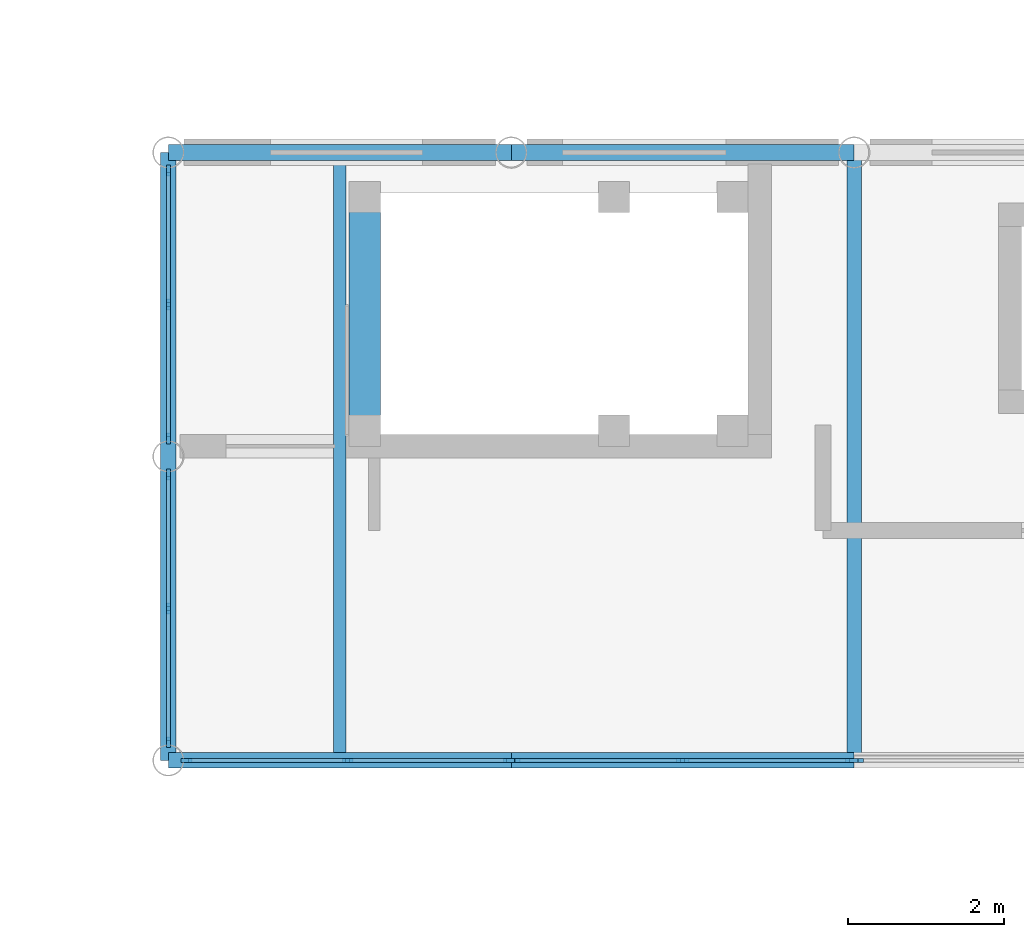
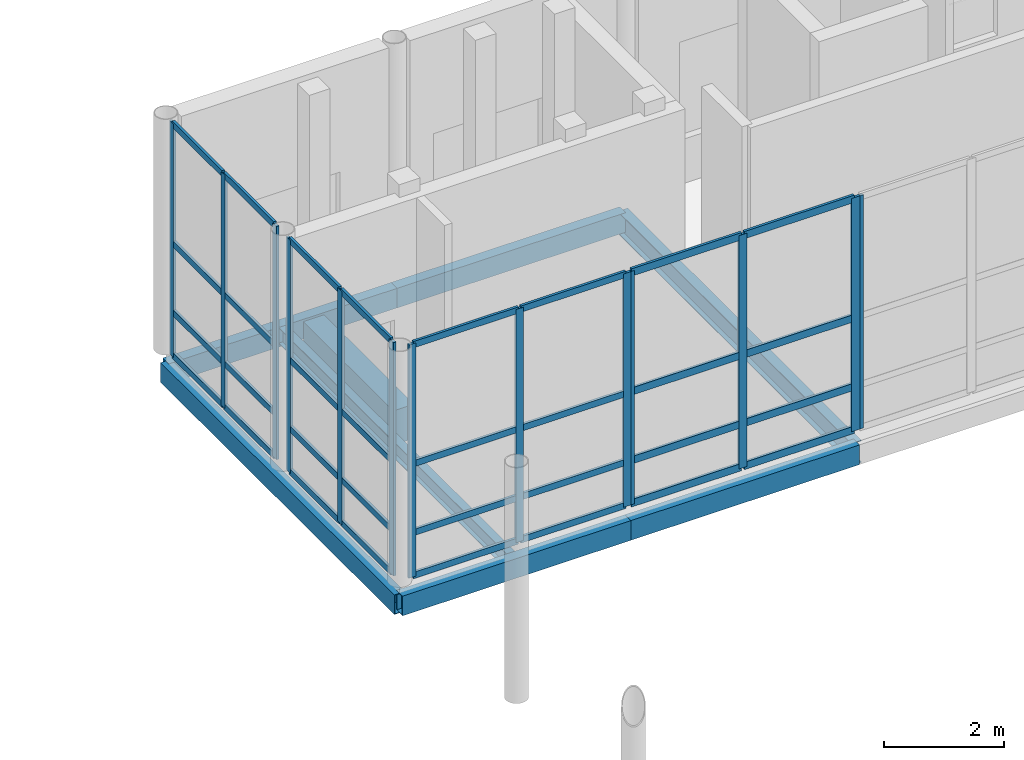
# One storey, part 44 of 138: 45 members, 8 beams, 5 elements without a shape of their own.
"""IFC4 building model written with IfcOpenShell, lengths in metres."""

from ifc_helpers import new_model, si_unit, direction, frame, origin, origin_2d, place, context, subcontext, project, spatial, rectangle, hollow_rectangle, i_section, extrude, material, layer, layer_set, material_profile, profile_set, type_object, element, aggregate, save


model = new_model("IFC4")

# Units and contexts
model_context = context("Model", 3, precision=1e-05, world=origin(), true_north=direction((0.0, 1.0)))
body_context = subcontext(model_context, "Body", "Model", "MODEL_VIEW")
ifc_project = project(units=[si_unit("LENGTHUNIT", "METRE"), si_unit("AREAUNIT", "SQUARE_METRE"), si_unit("VOLUMEUNIT", "CUBIC_METRE"), si_unit("PLANEANGLEUNIT", "RADIAN"), si_unit("MASSUNIT", "GRAM", prefix="KILO")], contexts=[model_context])

# Site, building, storey
site_placement = place(None, origin())
site = spatial("IfcSite", under=ifc_project, at=site_placement, CompositionType="ELEMENT")
building_placement = place(site_placement, origin())
building = spatial("IfcBuilding", under=site, at=building_placement, Name="Celorna Specialist Clinic", CompositionType="ELEMENT")
storey_placement = place(building_placement, frame((0.0, 0.0, 4.800048828125)))
storey = spatial("IfcBuildingStorey", under=building, at=storey_placement, Name="L01", CompositionType="ELEMENT", Elevation=4.800048828125)

# Beams
ifc_material_1 = material(Name="Steel S355", Category="steel")
ifc_material_profile_1 = material_profile(ifc_material_1, i_section(OverallWidth=0.18994140625, OverallDepth=0.449951171875, WebThickness=0.009521484375, FlangeThickness=0.0146484375, at=origin_2d()), Name="IPE 450")
ifc_profile_set_1 = profile_set([ifc_material_profile_1], Name="Steel S355")
beam_type_1 = type_object("IfcBeamType", Name="BM-09", PredefinedType="BEAM", material=ifc_profile_set_1)
beam_1_placement = place(storey_placement, frame((63.39990234375, 70.199951171875, -0.485107421875), z_axis=(0.0, 1.0, 0.0), x_axis=(-1.0, 0.0, 0.0)))
element("IfcBeam", 1, at=beam_1_placement, inside=storey, type_object=beam_type_1, Name="Transverse girder BM-09 #213", PredefinedType="BEAM", context=body_context, shape_type="SweptSolid", body=[
    extrude(i_section(OverallWidth=0.18994140625, OverallDepth=0.449951171875, WebThickness=0.009521484375, FlangeThickness=0.0146484375, at=origin_2d()), origin(), (0.0, 0.0, 1.0), 7.800048828125),
])
ifc_material_profile_2 = material_profile(ifc_material_1, i_section(OverallWidth=0.159912109375, OverallDepth=0.330078125, WebThickness=0.007568359375, FlangeThickness=0.011474609375, at=origin_2d()), Name="IPE 330")
ifc_profile_set_2 = profile_set([ifc_material_profile_2], Name="Steel S355")
beam_type_2 = type_object("IfcBeamType", Name="BM-12", PredefinedType="JOIST", material=ifc_profile_set_2)
beam_2_placement = place(storey_placement, frame((56.800048828125, 70.2880859375, -0.425048828125), z_axis=(0.0, 1.0, 0.0), x_axis=(-1.0, 0.0, 0.0)))
element("IfcBeam", 2, at=beam_2_placement, inside=storey, type_object=beam_type_2, Name="Secondary floor joist BM-12 #222", PredefinedType="JOIST", context=body_context, shape_type="SweptSolid", body=[
    extrude(i_section(OverallWidth=0.159912109375, OverallDepth=0.330078125, WebThickness=0.007568359375, FlangeThickness=0.011474609375, at=origin_2d()), origin(), (0.0, 0.0, 1.0), 7.6240234375),
])
ifc_material_profile_3 = material_profile(ifc_material_1, hollow_rectangle(XDim=0.199951171875, YDim=0.39990234375, WallThickness=0.011962890625, at=origin_2d()), Name="RHS 200x400x12")
ifc_profile_set_3 = profile_set([ifc_material_profile_3], Name="Steel S355")
beam_type_3 = type_object("IfcBeamType", Name="BM-15", PredefinedType="SPANDREL", material=ifc_profile_set_3)
for number, where, z_axis, x_axis, name in (
    (3, (54.60009765625, 70.199951171875, -0.4599609375), (1.0, 0.0, 0.0), (0.0, 1.0, 0.0), "Spandrel beam BM-15 #190"),
    (4, (59.0, 70.199951171875, -0.4599609375), (1.0, 0.0, 0.0), (0.0, 1.0, 0.0), "Spandrel beam BM-15 #191"),
    (5, (54.60009765625, 78.0, -0.4599609375), (1.0, 0.0, 0.0), (0.0, 1.0, 0.0), "Spandrel beam BM-15 #201"),
    (6, (59.0, 78.0, -0.4599609375), (1.0, 0.0, 0.0), (0.0, 1.0, 0.0), "Spandrel beam BM-15 #202"),
):
    element("IfcBeam", number, at=place(storey_placement, frame(where, z_axis=z_axis, x_axis=x_axis)), inside=storey, type_object=beam_type_3, Name=name, PredefinedType="SPANDREL", context=body_context, shape_type="SweptSolid", body=[
        extrude(hollow_rectangle(XDim=0.199951171875, YDim=0.39990234375, WallThickness=0.011962890625, at=origin_2d()), origin(), (0.0, 0.0, 1.0), 4.39990234375),
    ])
beam_3_placement = place(storey_placement, frame((54.60009765625, 70.199951171875, -0.4599609375), z_axis=(0.0, 1.0, 0.0), x_axis=(-1.0, 0.0, 0.0)))
element("IfcBeam", 7, at=beam_3_placement, inside=storey, type_object=beam_type_3, Name="Spandrel beam BM-15 #212", PredefinedType="SPANDREL", context=body_context, shape_type="SweptSolid", body=[
    extrude(hollow_rectangle(XDim=0.199951171875, YDim=0.39990234375, WallThickness=0.011962890625, at=origin_2d()), origin(), (0.0, 0.0, 1.0), 7.800048828125),
])
ifc_material_2 = material(Name="Concrete C35/45", Category="concrete")
ifc_material_profile_4 = material_profile(ifc_material_2, rectangle(XDim=0.39990234375, YDim=0.699951171875, at=origin_2d()), Name="RC 400x700")
ifc_profile_set_4 = profile_set([ifc_material_profile_4], Name="Concrete C35/45")
beam_type_4 = type_object("IfcBeamType", Name="BM-19", PredefinedType="BEAM", material=ifc_profile_set_4)
beam_4_placement = place(storey_placement, frame((57.1201171875, 74.429931640625, -0.275146484375), z_axis=(0.0, 1.0, 0.0), x_axis=(-1.0, 0.0, 0.0)))
element("IfcBeam", 8, at=beam_4_placement, inside=storey, type_object=beam_type_4, Name="Stair ST-10 floor landing trimmer beam L01", PredefinedType="BEAM", context=body_context, shape_type="SweptSolid", body=[
    extrude(rectangle(XDim=0.39990234375, YDim=0.699951171875, at=origin_2d()), origin(), (0.0, 0.0, 1.0), 3.0),
])

# Curtain wall, members
ifc_material_3 = material(Name="Thermally broken aluminium and solar-control glass curtain wall", Category="aluminium")
ifc_layer_1 = layer(ifc_material_3, 0.159912109375, Name="Thermally broken aluminium and solar-control glass curtain wall")
ifc_layer_set_1 = layer_set([ifc_layer_1], Name="Thermally broken aluminium and solar-control glass curtain wall")
curtain_wall_type_1 = type_object("IfcCurtainWallType", Name="CW-09", PredefinedType="NOTDEFINED", material=ifc_layer_set_1)
curtain_wall_1_placement = place(storey_placement, origin())
curtain_wall_1 = element("IfcCurtainWall", 9, at=curtain_wall_1_placement, inside=storey, type_object=curtain_wall_type_1, Name="Curtain wall CW-09 #27", PredefinedType="NOTDEFINED")
ifc_material_4 = material(Name="Anodized aluminium mullion", Category="aluminium")
ifc_material_profile_5 = material_profile(ifc_material_4, rectangle(XDim=0.050048828125, YDim=0.159912109375, at=origin_2d()), Name="ALU MULLION 50x160")
ifc_profile_set_5 = profile_set([ifc_material_profile_5], Name="Anodized aluminium mullion")
member_type_1 = type_object("IfcMemberType", Name="ML-01", PredefinedType="MULLION", material=ifc_profile_set_5)
member_1_placement = place(storey_placement, frame((63.37109375, 70.199951171875, 0.0), z_axis=(0.0, 0.0, 1.0), x_axis=(0.0, -1.0, 0.0)))
member_1 = element("IfcMember", 10, at=member_1_placement, type_object=member_type_1, Name="CW-09 mullion 1", PredefinedType="MULLION", context=body_context, shape_type="SweptSolid", body=[
    extrude(rectangle(XDim=0.050048828125, YDim=0.159912109375, at=origin_2d()), origin(), (0.0, 0.0, 1.0), 4.75),
])
member_2_placement = place(storey_placement, frame((61.199951171875, 70.199951171875, 0.0), z_axis=(0.0, 0.0, 1.0), x_axis=(0.0, -1.0, 0.0)))
member_2 = element("IfcMember", 11, at=member_2_placement, type_object=member_type_1, Name="CW-09 mullion 2", PredefinedType="MULLION", context=body_context, shape_type="SweptSolid", body=[
    extrude(rectangle(XDim=0.050048828125, YDim=0.159912109375, at=origin_2d()), origin(), (0.0, 0.0, 1.0), 4.75),
])
member_3_placement = place(storey_placement, frame((59.029052734375, 70.199951171875, 0.0), z_axis=(0.0, 0.0, 1.0), x_axis=(0.0, -1.0, 0.0)))
member_3 = element("IfcMember", 12, at=member_3_placement, type_object=member_type_1, Name="CW-09 mullion 3", PredefinedType="MULLION", context=body_context, shape_type="SweptSolid", body=[
    extrude(rectangle(XDim=0.050048828125, YDim=0.159912109375, at=origin_2d()), origin(), (0.0, 0.0, 1.0), 4.75),
])

# Curtain wall, member
ifc_layer_2 = layer(ifc_material_3, 0.159912109375, Name="Thermally broken aluminium and solar-control glass curtain wall")
ifc_layer_set_2 = layer_set([ifc_layer_2], Name="Thermally broken aluminium and solar-control glass curtain wall")
curtain_wall_type_2 = type_object("IfcCurtainWallType", Name="CW-10", PredefinedType="NOTDEFINED", material=ifc_layer_set_2)
curtain_wall_2_placement = place(storey_placement, origin())
curtain_wall_2 = element("IfcCurtainWall", 13, at=curtain_wall_2_placement, inside=storey, type_object=curtain_wall_type_2, Name="Curtain wall CW-10 #28", PredefinedType="NOTDEFINED")
ifc_material_profile_6 = material_profile(ifc_material_4, rectangle(XDim=0.050048828125, YDim=0.179931640625, at=origin_2d()), Name="ALU MULLION 50x180")
ifc_profile_set_6 = profile_set([ifc_material_profile_6], Name="Anodized aluminium mullion")
member_type_2 = type_object("IfcMemberType", Name="ML-02", PredefinedType="MULLION", material=ifc_profile_set_6)
member_4_placement = place(storey_placement, frame((63.428955078125, 70.199951171875, 0.0), z_axis=(0.0, 0.0, 1.0), x_axis=(0.0, -1.0, 0.0)))
member_4 = element("IfcMember", 14, at=member_4_placement, type_object=member_type_2, Name="CW-10 mullion 3", PredefinedType="MULLION", context=body_context, shape_type="SweptSolid", body=[
    extrude(rectangle(XDim=0.050048828125, YDim=0.179931640625, at=origin_2d()), origin(), (0.0, 0.0, 1.0), 4.75),
])
aggregate(curtain_wall_2, [member_4])

# Curtain wall, members
ifc_layer_3 = layer(ifc_material_3, 0.159912109375, Name="Thermally broken aluminium and solar-control glass curtain wall")
ifc_layer_set_3 = layer_set([ifc_layer_3], Name="Thermally broken aluminium and solar-control glass curtain wall")
curtain_wall_type_3 = type_object("IfcCurtainWallType", Name="CW-08", PredefinedType="NOTDEFINED", material=ifc_layer_set_3)
curtain_wall_3_placement = place(storey_placement, origin())
curtain_wall_3 = element("IfcCurtainWall", 15, at=curtain_wall_3_placement, inside=storey, type_object=curtain_wall_type_3, Name="Curtain wall CW-08 #26", PredefinedType="NOTDEFINED")
ifc_material_profile_7 = material_profile(ifc_material_4, rectangle(XDim=0.050048828125, YDim=0.139892578125, at=origin_2d()), Name="ALU MULLION 50x140")
ifc_profile_set_7 = profile_set([ifc_material_profile_7], Name="Anodized aluminium mullion")
member_type_3 = type_object("IfcMemberType", Name="ML-03", PredefinedType="MULLION", material=ifc_profile_set_7)
member_5_placement = place(storey_placement, frame((58.970947265625, 70.199951171875, 0.0), z_axis=(0.0, 0.0, 1.0), x_axis=(0.0, -1.0, 0.0)))
member_5 = element("IfcMember", 16, at=member_5_placement, type_object=member_type_3, Name="CW-08 mullion 1", PredefinedType="MULLION", context=body_context, shape_type="SweptSolid", body=[
    extrude(rectangle(XDim=0.050048828125, YDim=0.139892578125, at=origin_2d()), origin(), (0.0, 0.0, 1.0), 4.75),
])
member_6_placement = place(storey_placement, frame((56.901611328125, 70.199951171875, 0.0), z_axis=(0.0, 0.0, 1.0), x_axis=(0.0, -1.0, 0.0)))
member_6 = element("IfcMember", 17, at=member_6_placement, type_object=member_type_3, Name="CW-08 mullion 2", PredefinedType="MULLION", context=body_context, shape_type="SweptSolid", body=[
    extrude(rectangle(XDim=0.050048828125, YDim=0.139892578125, at=origin_2d()), origin(), (0.0, 0.0, 1.0), 4.75),
])
member_7_placement = place(storey_placement, frame((54.832275390625, 70.199951171875, 0.0), z_axis=(0.0, 0.0, 1.0), x_axis=(0.0, -1.0, 0.0)))
member_7 = element("IfcMember", 18, at=member_7_placement, type_object=member_type_3, Name="CW-08 mullion 3", PredefinedType="MULLION", context=body_context, shape_type="SweptSolid", body=[
    extrude(rectangle(XDim=0.050048828125, YDim=0.139892578125, at=origin_2d()), origin(), (0.0, 0.0, 1.0), 4.75),
])

ifc_layer_4 = layer(ifc_material_3, 0.159912109375, Name="Thermally broken aluminium and solar-control glass curtain wall")
ifc_layer_set_4 = layer_set([ifc_layer_4], Name="Thermally broken aluminium and solar-control glass curtain wall")
curtain_wall_type_4 = type_object("IfcCurtainWallType", Name="CW-13", PredefinedType="NOTDEFINED", material=ifc_layer_set_4)
curtain_wall_4_placement = place(storey_placement, origin())
curtain_wall_4 = element("IfcCurtainWall", 19, at=curtain_wall_4_placement, inside=storey, type_object=curtain_wall_type_4, Name="Curtain wall CW-13 #37", PredefinedType="NOTDEFINED")
member_8_placement = place(storey_placement, frame((54.60009765625, 70.43212890625, 0.0), z_axis=(0.0, 0.0, 1.0), x_axis=(-1.0, 0.0, 0.0)))
member_8 = element("IfcMember", 20, at=member_8_placement, type_object=member_type_3, Name="CW-13 mullion 1", PredefinedType="MULLION", context=body_context, shape_type="SweptSolid", body=[
    extrude(rectangle(XDim=0.050048828125, YDim=0.139892578125, at=origin_2d()), origin(), (0.0, 0.0, 1.0), 4.75),
])
member_9_placement = place(storey_placement, frame((54.60009765625, 72.14990234375, 0.0), z_axis=(0.0, 0.0, 1.0), x_axis=(-1.0, 0.0, 0.0)))
member_9 = element("IfcMember", 21, at=member_9_placement, type_object=member_type_3, Name="CW-13 mullion 2", PredefinedType="MULLION", context=body_context, shape_type="SweptSolid", body=[
    extrude(rectangle(XDim=0.050048828125, YDim=0.139892578125, at=origin_2d()), origin(), (0.0, 0.0, 1.0), 4.75),
])
member_10_placement = place(storey_placement, frame((54.60009765625, 73.867919921875, 0.0), z_axis=(0.0, 0.0, 1.0), x_axis=(-1.0, 0.0, 0.0)))
member_10 = element("IfcMember", 22, at=member_10_placement, type_object=member_type_3, Name="CW-13 mullion 3", PredefinedType="MULLION", context=body_context, shape_type="SweptSolid", body=[
    extrude(rectangle(XDim=0.050048828125, YDim=0.139892578125, at=origin_2d()), origin(), (0.0, 0.0, 1.0), 4.75),
])

curtain_wall_5_placement = place(storey_placement, origin())
curtain_wall_5 = element("IfcCurtainWall", 23, at=curtain_wall_5_placement, inside=storey, type_object=curtain_wall_type_4, Name="Curtain wall CW-13 #38", PredefinedType="NOTDEFINED")
member_11_placement = place(storey_placement, frame((54.60009765625, 74.332275390625, 0.0), z_axis=(0.0, 0.0, 1.0), x_axis=(-1.0, 0.0, 0.0)))
member_11 = element("IfcMember", 24, at=member_11_placement, type_object=member_type_3, Name="CW-13 mullion 1", PredefinedType="MULLION", context=body_context, shape_type="SweptSolid", body=[
    extrude(rectangle(XDim=0.050048828125, YDim=0.139892578125, at=origin_2d()), origin(), (0.0, 0.0, 1.0), 4.75),
])
member_12_placement = place(storey_placement, frame((54.60009765625, 76.050048828125, 0.0), z_axis=(0.0, 0.0, 1.0), x_axis=(-1.0, 0.0, 0.0)))
member_12 = element("IfcMember", 25, at=member_12_placement, type_object=member_type_3, Name="CW-13 mullion 2", PredefinedType="MULLION", context=body_context, shape_type="SweptSolid", body=[
    extrude(rectangle(XDim=0.050048828125, YDim=0.139892578125, at=origin_2d()), origin(), (0.0, 0.0, 1.0), 4.75),
])
member_13_placement = place(storey_placement, frame((54.60009765625, 77.767822265625, 0.0), z_axis=(0.0, 0.0, 1.0), x_axis=(-1.0, 0.0, 0.0)))
member_13 = element("IfcMember", 26, at=member_13_placement, type_object=member_type_3, Name="CW-13 mullion 3", PredefinedType="MULLION", context=body_context, shape_type="SweptSolid", body=[
    extrude(rectangle(XDim=0.050048828125, YDim=0.139892578125, at=origin_2d()), origin(), (0.0, 0.0, 1.0), 4.75),
])

# Member
ifc_material_5 = material(Name="Anodized aluminium transom", Category="aluminium")
ifc_material_profile_8 = material_profile(ifc_material_5, rectangle(XDim=0.050048828125, YDim=0.1298828125, at=origin_2d()), Name="ALU TRANSOM 50x130")
ifc_profile_set_8 = profile_set([ifc_material_profile_8], Name="Anodized aluminium transom")
member_type_4 = type_object("IfcMemberType", Name="TR-01", PredefinedType="USERDEFINED", material=ifc_profile_set_8)
member_14_placement = place(storey_placement, frame((58.946044921875, 70.199951171875, 0.02490234375), z_axis=(-1.0, 0.0, 0.0), x_axis=(0.0, -1.0, 0.0)))
member_14 = element("IfcMember", 27, at=member_14_placement, type_object=member_type_4, Name="CW-08 transom 1.1", ObjectType="TRANSOM", PredefinedType="USERDEFINED", context=body_context, shape_type="SweptSolid", body=[
    extrude(rectangle(XDim=0.050048828125, YDim=0.1298828125, at=origin_2d()), origin(), (0.0, 0.0, 1.0), 2.01953125),
])

member_15_placement = place(storey_placement, frame((58.946044921875, 70.199951171875, 0.89990234375), z_axis=(-1.0, 0.0, 0.0), x_axis=(0.0, -1.0, 0.0)))
member_15 = element("IfcMember", 28, at=member_15_placement, type_object=member_type_4, Name="CW-08 transom 1.2", ObjectType="TRANSOM", PredefinedType="USERDEFINED", context=body_context, shape_type="SweptSolid", body=[
    extrude(rectangle(XDim=0.050048828125, YDim=0.1298828125, at=origin_2d()), origin(), (0.0, 0.0, 1.0), 2.01953125),
])

member_16_placement = place(storey_placement, frame((58.946044921875, 70.199951171875, 2.300048828125), z_axis=(-1.0, 0.0, 0.0), x_axis=(0.0, -1.0, 0.0)))
member_16 = element("IfcMember", 29, at=member_16_placement, type_object=member_type_4, Name="CW-08 transom 1.3", ObjectType="TRANSOM", PredefinedType="USERDEFINED", context=body_context, shape_type="SweptSolid", body=[
    extrude(rectangle(XDim=0.050048828125, YDim=0.1298828125, at=origin_2d()), origin(), (0.0, 0.0, 1.0), 2.01953125),
])

member_17_placement = place(storey_placement, frame((58.946044921875, 70.199951171875, 4.724853515625), z_axis=(-1.0, 0.0, 0.0), x_axis=(0.0, -1.0, 0.0)))
member_17 = element("IfcMember", 30, at=member_17_placement, type_object=member_type_4, Name="CW-08 transom 1.4", ObjectType="TRANSOM", PredefinedType="USERDEFINED", context=body_context, shape_type="SweptSolid", body=[
    extrude(rectangle(XDim=0.050048828125, YDim=0.1298828125, at=origin_2d()), origin(), (0.0, 0.0, 1.0), 2.01953125),
])

member_18_placement = place(storey_placement, frame((56.876708984375, 70.199951171875, 0.02490234375), z_axis=(-1.0, 0.0, 0.0), x_axis=(0.0, -1.0, 0.0)))
member_18 = element("IfcMember", 31, at=member_18_placement, type_object=member_type_4, Name="CW-08 transom 2.1", ObjectType="TRANSOM", PredefinedType="USERDEFINED", context=body_context, shape_type="SweptSolid", body=[
    extrude(rectangle(XDim=0.050048828125, YDim=0.1298828125, at=origin_2d()), origin(), (0.0, 0.0, 1.0), 2.01953125),
])

member_19_placement = place(storey_placement, frame((56.876708984375, 70.199951171875, 0.89990234375), z_axis=(-1.0, 0.0, 0.0), x_axis=(0.0, -1.0, 0.0)))
member_19 = element("IfcMember", 32, at=member_19_placement, type_object=member_type_4, Name="CW-08 transom 2.2", ObjectType="TRANSOM", PredefinedType="USERDEFINED", context=body_context, shape_type="SweptSolid", body=[
    extrude(rectangle(XDim=0.050048828125, YDim=0.1298828125, at=origin_2d()), origin(), (0.0, 0.0, 1.0), 2.01953125),
])

member_20_placement = place(storey_placement, frame((56.876708984375, 70.199951171875, 2.300048828125), z_axis=(-1.0, 0.0, 0.0), x_axis=(0.0, -1.0, 0.0)))
member_20 = element("IfcMember", 33, at=member_20_placement, type_object=member_type_4, Name="CW-08 transom 2.3", ObjectType="TRANSOM", PredefinedType="USERDEFINED", context=body_context, shape_type="SweptSolid", body=[
    extrude(rectangle(XDim=0.050048828125, YDim=0.1298828125, at=origin_2d()), origin(), (0.0, 0.0, 1.0), 2.01953125),
])

member_21_placement = place(storey_placement, frame((56.876708984375, 70.199951171875, 4.724853515625), z_axis=(-1.0, 0.0, 0.0), x_axis=(0.0, -1.0, 0.0)))
member_21 = element("IfcMember", 34, at=member_21_placement, type_object=member_type_4, Name="CW-08 transom 2.4", ObjectType="TRANSOM", PredefinedType="USERDEFINED", context=body_context, shape_type="SweptSolid", body=[
    extrude(rectangle(XDim=0.050048828125, YDim=0.1298828125, at=origin_2d()), origin(), (0.0, 0.0, 1.0), 2.01953125),
])

aggregate(curtain_wall_3, [member_5, member_6, member_7, member_14, member_15, member_16, member_17, member_18, member_19, member_20, member_21])

member_22_placement = place(storey_placement, frame((54.60009765625, 70.457275390625, 0.02490234375), z_axis=(0.0, 1.0, 0.0), x_axis=(-1.0, 0.0, 0.0)))
member_22 = element("IfcMember", 35, at=member_22_placement, type_object=member_type_4, Name="CW-13 transom 1.1", ObjectType="TRANSOM", PredefinedType="USERDEFINED", context=body_context, shape_type="SweptSolid", body=[
    extrude(rectangle(XDim=0.050048828125, YDim=0.1298828125, at=origin_2d()), origin(), (0.0, 0.0, 1.0), 1.667724609375),
])

member_23_placement = place(storey_placement, frame((54.60009765625, 70.457275390625, 0.89990234375), z_axis=(0.0, 1.0, 0.0), x_axis=(-1.0, 0.0, 0.0)))
member_23 = element("IfcMember", 36, at=member_23_placement, type_object=member_type_4, Name="CW-13 transom 1.2", ObjectType="TRANSOM", PredefinedType="USERDEFINED", context=body_context, shape_type="SweptSolid", body=[
    extrude(rectangle(XDim=0.050048828125, YDim=0.1298828125, at=origin_2d()), origin(), (0.0, 0.0, 1.0), 1.667724609375),
])

member_24_placement = place(storey_placement, frame((54.60009765625, 70.457275390625, 2.300048828125), z_axis=(0.0, 1.0, 0.0), x_axis=(-1.0, 0.0, 0.0)))
member_24 = element("IfcMember", 37, at=member_24_placement, type_object=member_type_4, Name="CW-13 transom 1.3", ObjectType="TRANSOM", PredefinedType="USERDEFINED", context=body_context, shape_type="SweptSolid", body=[
    extrude(rectangle(XDim=0.050048828125, YDim=0.1298828125, at=origin_2d()), origin(), (0.0, 0.0, 1.0), 1.667724609375),
])

member_25_placement = place(storey_placement, frame((54.60009765625, 70.457275390625, 4.724853515625), z_axis=(0.0, 1.0, 0.0), x_axis=(-1.0, 0.0, 0.0)))
member_25 = element("IfcMember", 38, at=member_25_placement, type_object=member_type_4, Name="CW-13 transom 1.4", ObjectType="TRANSOM", PredefinedType="USERDEFINED", context=body_context, shape_type="SweptSolid", body=[
    extrude(rectangle(XDim=0.050048828125, YDim=0.1298828125, at=origin_2d()), origin(), (0.0, 0.0, 1.0), 1.667724609375),
])

member_26_placement = place(storey_placement, frame((54.60009765625, 72.175048828125, 0.02490234375), z_axis=(0.0, 1.0, 0.0), x_axis=(-1.0, 0.0, 0.0)))
member_26 = element("IfcMember", 39, at=member_26_placement, type_object=member_type_4, Name="CW-13 transom 2.1", ObjectType="TRANSOM", PredefinedType="USERDEFINED", context=body_context, shape_type="SweptSolid", body=[
    extrude(rectangle(XDim=0.050048828125, YDim=0.1298828125, at=origin_2d()), origin(), (0.0, 0.0, 1.0), 1.667724609375),
])

member_27_placement = place(storey_placement, frame((54.60009765625, 72.175048828125, 0.89990234375), z_axis=(0.0, 1.0, 0.0), x_axis=(-1.0, 0.0, 0.0)))
member_27 = element("IfcMember", 40, at=member_27_placement, type_object=member_type_4, Name="CW-13 transom 2.2", ObjectType="TRANSOM", PredefinedType="USERDEFINED", context=body_context, shape_type="SweptSolid", body=[
    extrude(rectangle(XDim=0.050048828125, YDim=0.1298828125, at=origin_2d()), origin(), (0.0, 0.0, 1.0), 1.667724609375),
])

member_28_placement = place(storey_placement, frame((54.60009765625, 72.175048828125, 2.300048828125), z_axis=(0.0, 1.0, 0.0), x_axis=(-1.0, 0.0, 0.0)))
member_28 = element("IfcMember", 41, at=member_28_placement, type_object=member_type_4, Name="CW-13 transom 2.3", ObjectType="TRANSOM", PredefinedType="USERDEFINED", context=body_context, shape_type="SweptSolid", body=[
    extrude(rectangle(XDim=0.050048828125, YDim=0.1298828125, at=origin_2d()), origin(), (0.0, 0.0, 1.0), 1.667724609375),
])

member_29_placement = place(storey_placement, frame((54.60009765625, 72.175048828125, 4.724853515625), z_axis=(0.0, 1.0, 0.0), x_axis=(-1.0, 0.0, 0.0)))
member_29 = element("IfcMember", 42, at=member_29_placement, type_object=member_type_4, Name="CW-13 transom 2.4", ObjectType="TRANSOM", PredefinedType="USERDEFINED", context=body_context, shape_type="SweptSolid", body=[
    extrude(rectangle(XDim=0.050048828125, YDim=0.1298828125, at=origin_2d()), origin(), (0.0, 0.0, 1.0), 1.667724609375),
])

aggregate(curtain_wall_4, [member_8, member_9, member_10, member_22, member_23, member_24, member_25, member_26, member_27, member_28, member_29])

member_30_placement = place(storey_placement, frame((54.60009765625, 74.357177734375, 0.02490234375), z_axis=(0.0, 1.0, 0.0), x_axis=(-1.0, 0.0, 0.0)))
member_30 = element("IfcMember", 43, at=member_30_placement, type_object=member_type_4, Name="CW-13 transom 1.1", ObjectType="TRANSOM", PredefinedType="USERDEFINED", context=body_context, shape_type="SweptSolid", body=[
    extrude(rectangle(XDim=0.050048828125, YDim=0.1298828125, at=origin_2d()), origin(), (0.0, 0.0, 1.0), 1.667724609375),
])

member_31_placement = place(storey_placement, frame((54.60009765625, 74.357177734375, 0.89990234375), z_axis=(0.0, 1.0, 0.0), x_axis=(-1.0, 0.0, 0.0)))
member_31 = element("IfcMember", 44, at=member_31_placement, type_object=member_type_4, Name="CW-13 transom 1.2", ObjectType="TRANSOM", PredefinedType="USERDEFINED", context=body_context, shape_type="SweptSolid", body=[
    extrude(rectangle(XDim=0.050048828125, YDim=0.1298828125, at=origin_2d()), origin(), (0.0, 0.0, 1.0), 1.667724609375),
])

member_32_placement = place(storey_placement, frame((54.60009765625, 74.357177734375, 2.300048828125), z_axis=(0.0, 1.0, 0.0), x_axis=(-1.0, 0.0, 0.0)))
member_32 = element("IfcMember", 45, at=member_32_placement, type_object=member_type_4, Name="CW-13 transom 1.3", ObjectType="TRANSOM", PredefinedType="USERDEFINED", context=body_context, shape_type="SweptSolid", body=[
    extrude(rectangle(XDim=0.050048828125, YDim=0.1298828125, at=origin_2d()), origin(), (0.0, 0.0, 1.0), 1.667724609375),
])

member_33_placement = place(storey_placement, frame((54.60009765625, 74.357177734375, 4.724853515625), z_axis=(0.0, 1.0, 0.0), x_axis=(-1.0, 0.0, 0.0)))
member_33 = element("IfcMember", 46, at=member_33_placement, type_object=member_type_4, Name="CW-13 transom 1.4", ObjectType="TRANSOM", PredefinedType="USERDEFINED", context=body_context, shape_type="SweptSolid", body=[
    extrude(rectangle(XDim=0.050048828125, YDim=0.1298828125, at=origin_2d()), origin(), (0.0, 0.0, 1.0), 1.667724609375),
])

member_34_placement = place(storey_placement, frame((54.60009765625, 76.074951171875, 0.02490234375), z_axis=(0.0, 1.0, 0.0), x_axis=(-1.0, 0.0, 0.0)))
member_34 = element("IfcMember", 47, at=member_34_placement, type_object=member_type_4, Name="CW-13 transom 2.1", ObjectType="TRANSOM", PredefinedType="USERDEFINED", context=body_context, shape_type="SweptSolid", body=[
    extrude(rectangle(XDim=0.050048828125, YDim=0.1298828125, at=origin_2d()), origin(), (0.0, 0.0, 1.0), 1.66796875),
])

member_35_placement = place(storey_placement, frame((54.60009765625, 76.074951171875, 0.89990234375), z_axis=(0.0, 1.0, 0.0), x_axis=(-1.0, 0.0, 0.0)))
member_35 = element("IfcMember", 48, at=member_35_placement, type_object=member_type_4, Name="CW-13 transom 2.2", ObjectType="TRANSOM", PredefinedType="USERDEFINED", context=body_context, shape_type="SweptSolid", body=[
    extrude(rectangle(XDim=0.050048828125, YDim=0.1298828125, at=origin_2d()), origin(), (0.0, 0.0, 1.0), 1.66796875),
])

member_36_placement = place(storey_placement, frame((54.60009765625, 76.074951171875, 2.300048828125), z_axis=(0.0, 1.0, 0.0), x_axis=(-1.0, 0.0, 0.0)))
member_36 = element("IfcMember", 49, at=member_36_placement, type_object=member_type_4, Name="CW-13 transom 2.3", ObjectType="TRANSOM", PredefinedType="USERDEFINED", context=body_context, shape_type="SweptSolid", body=[
    extrude(rectangle(XDim=0.050048828125, YDim=0.1298828125, at=origin_2d()), origin(), (0.0, 0.0, 1.0), 1.66796875),
])

member_37_placement = place(storey_placement, frame((54.60009765625, 76.074951171875, 4.724853515625), z_axis=(0.0, 1.0, 0.0), x_axis=(-1.0, 0.0, 0.0)))
member_37 = element("IfcMember", 50, at=member_37_placement, type_object=member_type_4, Name="CW-13 transom 2.4", ObjectType="TRANSOM", PredefinedType="USERDEFINED", context=body_context, shape_type="SweptSolid", body=[
    extrude(rectangle(XDim=0.050048828125, YDim=0.1298828125, at=origin_2d()), origin(), (0.0, 0.0, 1.0), 1.66796875),
])

aggregate(curtain_wall_5, [member_11, member_12, member_13, member_30, member_31, member_32, member_33, member_34, member_35, member_36, member_37])

ifc_material_profile_9 = material_profile(ifc_material_5, rectangle(XDim=0.050048828125, YDim=0.14990234375, at=origin_2d()), Name="ALU TRANSOM 50x150")
ifc_profile_set_9 = profile_set([ifc_material_profile_9], Name="Anodized aluminium transom")
member_type_5 = type_object("IfcMemberType", Name="TR-02", PredefinedType="USERDEFINED", material=ifc_profile_set_9)
member_38_placement = place(storey_placement, frame((63.345947265625, 70.199951171875, 0.02490234375), z_axis=(-1.0, 0.0, 0.0), x_axis=(0.0, -1.0, 0.0)))
member_38 = element("IfcMember", 51, at=member_38_placement, type_object=member_type_5, Name="CW-09 transom 1.1", ObjectType="TRANSOM", PredefinedType="USERDEFINED", context=body_context, shape_type="SweptSolid", body=[
    extrude(rectangle(XDim=0.050048828125, YDim=0.14990234375, at=origin_2d()), origin(), (0.0, 0.0, 1.0), 2.120849609375),
])

member_39_placement = place(storey_placement, frame((63.345947265625, 70.199951171875, 0.89990234375), z_axis=(-1.0, 0.0, 0.0), x_axis=(0.0, -1.0, 0.0)))
member_39 = element("IfcMember", 52, at=member_39_placement, type_object=member_type_5, Name="CW-09 transom 1.2", ObjectType="TRANSOM", PredefinedType="USERDEFINED", context=body_context, shape_type="SweptSolid", body=[
    extrude(rectangle(XDim=0.050048828125, YDim=0.14990234375, at=origin_2d()), origin(), (0.0, 0.0, 1.0), 2.120849609375),
])

member_40_placement = place(storey_placement, frame((63.345947265625, 70.199951171875, 2.300048828125), z_axis=(-1.0, 0.0, 0.0), x_axis=(0.0, -1.0, 0.0)))
member_40 = element("IfcMember", 53, at=member_40_placement, type_object=member_type_5, Name="CW-09 transom 1.3", ObjectType="TRANSOM", PredefinedType="USERDEFINED", context=body_context, shape_type="SweptSolid", body=[
    extrude(rectangle(XDim=0.050048828125, YDim=0.14990234375, at=origin_2d()), origin(), (0.0, 0.0, 1.0), 2.120849609375),
])

member_41_placement = place(storey_placement, frame((63.345947265625, 70.199951171875, 4.724853515625), z_axis=(-1.0, 0.0, 0.0), x_axis=(0.0, -1.0, 0.0)))
member_41 = element("IfcMember", 54, at=member_41_placement, type_object=member_type_5, Name="CW-09 transom 1.4", ObjectType="TRANSOM", PredefinedType="USERDEFINED", context=body_context, shape_type="SweptSolid", body=[
    extrude(rectangle(XDim=0.050048828125, YDim=0.14990234375, at=origin_2d()), origin(), (0.0, 0.0, 1.0), 2.120849609375),
])

member_42_placement = place(storey_placement, frame((61.175048828125, 70.199951171875, 0.02490234375), z_axis=(-1.0, 0.0, 0.0), x_axis=(0.0, -1.0, 0.0)))
member_42 = element("IfcMember", 55, at=member_42_placement, type_object=member_type_5, Name="CW-09 transom 2.1", ObjectType="TRANSOM", PredefinedType="USERDEFINED", context=body_context, shape_type="SweptSolid", body=[
    extrude(rectangle(XDim=0.050048828125, YDim=0.14990234375, at=origin_2d()), origin(), (0.0, 0.0, 1.0), 2.12109375),
])

member_43_placement = place(storey_placement, frame((61.175048828125, 70.199951171875, 0.89990234375), z_axis=(-1.0, 0.0, 0.0), x_axis=(0.0, -1.0, 0.0)))
member_43 = element("IfcMember", 56, at=member_43_placement, type_object=member_type_5, Name="CW-09 transom 2.2", ObjectType="TRANSOM", PredefinedType="USERDEFINED", context=body_context, shape_type="SweptSolid", body=[
    extrude(rectangle(XDim=0.050048828125, YDim=0.14990234375, at=origin_2d()), origin(), (0.0, 0.0, 1.0), 2.12109375),
])

member_44_placement = place(storey_placement, frame((61.175048828125, 70.199951171875, 2.300048828125), z_axis=(-1.0, 0.0, 0.0), x_axis=(0.0, -1.0, 0.0)))
member_44 = element("IfcMember", 57, at=member_44_placement, type_object=member_type_5, Name="CW-09 transom 2.3", ObjectType="TRANSOM", PredefinedType="USERDEFINED", context=body_context, shape_type="SweptSolid", body=[
    extrude(rectangle(XDim=0.050048828125, YDim=0.14990234375, at=origin_2d()), origin(), (0.0, 0.0, 1.0), 2.12109375),
])

member_45_placement = place(storey_placement, frame((61.175048828125, 70.199951171875, 4.724853515625), z_axis=(-1.0, 0.0, 0.0), x_axis=(0.0, -1.0, 0.0)))
member_45 = element("IfcMember", 58, at=member_45_placement, type_object=member_type_5, Name="CW-09 transom 2.4", ObjectType="TRANSOM", PredefinedType="USERDEFINED", context=body_context, shape_type="SweptSolid", body=[
    extrude(rectangle(XDim=0.050048828125, YDim=0.14990234375, at=origin_2d()), origin(), (0.0, 0.0, 1.0), 2.12109375),
])

aggregate(curtain_wall_1, [member_1, member_2, member_3, member_38, member_39, member_40, member_41, member_42, member_43, member_44, member_45])

save(model, "model.ifc")
